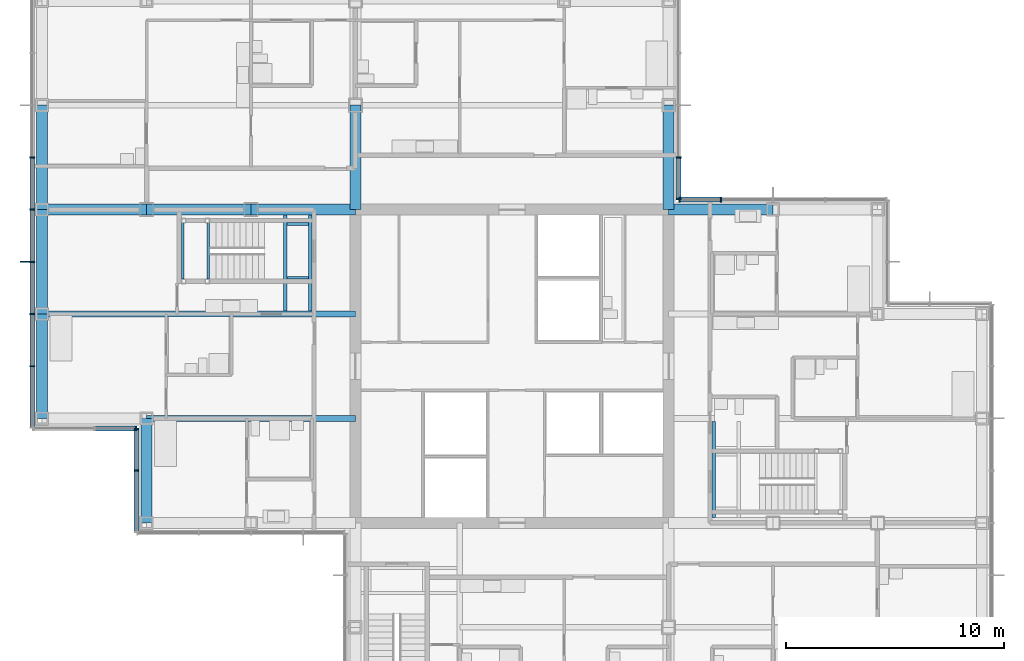
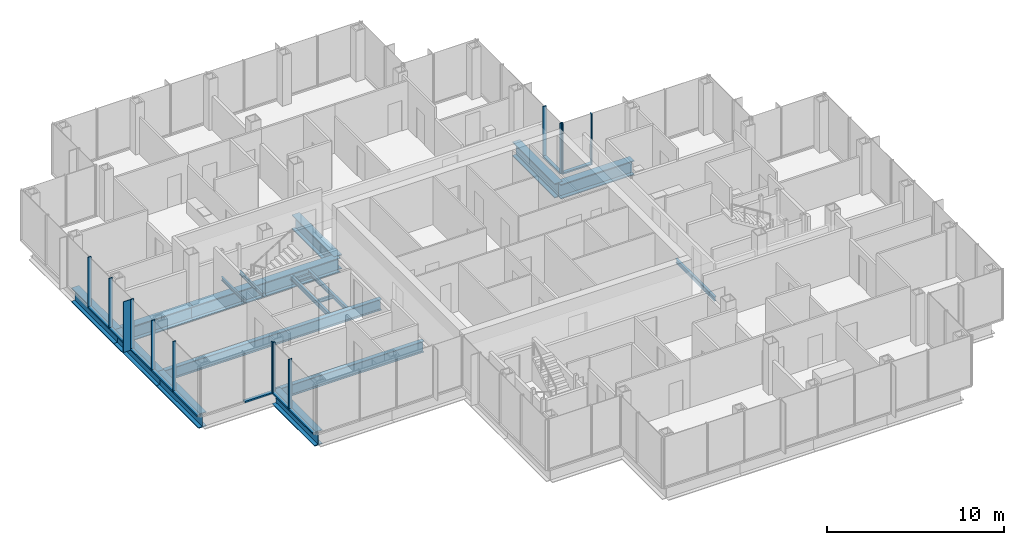
# One storey, part 7 of 20: 23 members, 19 beams, 5 elements without a shape of their own.
"""IFC4 building model written with IfcOpenShell, lengths in metres."""

import ifcopenshell
import ifcopenshell.guid

model = None  # the IFC model being written
_history = None  # IfcOwnerHistory: only IFC2X3 demands one
_inside = {}  # id of a spatial element -> (the spatial element, [elements in it])
_under = {}  # id of a project, library or spatial element -> (it, [spatial elements below it])
_declared = {}  # id of a project -> (the project, [libraries it declares])
_typed = {}  # id of a type object -> (the type object, [elements of that type])
_made_of = {}  # id of a material, layer set ... -> (it, [elements and type objects made of it])


def new_model(schema):
    """Start an empty IFC model of exactly this schema.

    Asked for "IFC4X3", IfcOpenShell would pick the latest addendum, in which some entities
    have other attributes; the version numbers below select the first issue.
    IFC2X3 requires an IfcOwnerHistory on every rooted entity: one is made here for all.
    """
    global model, _history
    if schema == "IFC4X3":
        model = ifcopenshell.file(schema_version=(4, 3, 0, 0))
    else:
        model = ifcopenshell.file(schema=schema)
    _inside.clear()
    _under.clear()
    _declared.clear()
    _typed.clear()
    _made_of.clear()
    _history = None
    if model.schema == "IFC2X3":
        org = make("IfcOrganization", Name="unknown")
        user = make(
            "IfcPersonAndOrganization",
            ThePerson=make("IfcPerson", FamilyName="unknown"),
            TheOrganization=org,
        )
        app = make(
            "IfcApplication",
            ApplicationDeveloper=org,
            Version="unknown",
            ApplicationFullName="unknown",
            ApplicationIdentifier="unknown",
        )
        _history = make(
            "IfcOwnerHistory",
            OwningUser=user,
            OwningApplication=app,
            ChangeAction="ADDED",
            CreationDate=0,
        )
    return model


def make(cls, **values):
    """One entity of the class cls with the attributes given. An attribute that is None is left unset."""
    return model.create_entity(
        cls, **{name: value for name, value in values.items() if value is not None}
    )


def rooted(cls, **values):
    """An entity with a GlobalId (a new one), such as an element, a storey or a relation."""
    return make(cls, GlobalId=ifcopenshell.guid.new(), OwnerHistory=_history, **values)


def si_unit(unit_type, name, prefix=None):
    """IfcSIUnit, for example si_unit("LENGTHUNIT", "METRE", prefix="MILLI")."""
    return make("IfcSIUnit", UnitType=unit_type, Prefix=prefix, Name=name)


def assignment(units):
    """IfcUnitAssignment: the units of a project."""
    return None if units is None else make("IfcUnitAssignment", Units=units)


def point(xyz):
    """IfcCartesianPoint."""
    return None if xyz is None else make("IfcCartesianPoint", Coordinates=xyz)


def direction(xyz):
    """IfcDirection."""
    return None if xyz is None else make("IfcDirection", DirectionRatios=xyz)


def frame(location, z_axis=None, x_axis=None):
    """IfcAxis2Placement3D, a coordinate frame: its origin and axes. An axis left out is left unset."""
    return make(
        "IfcAxis2Placement3D",
        Location=point(location),
        Axis=direction(z_axis),
        RefDirection=direction(x_axis),
    )


def frame_2d(location, x_axis=None):
    """IfcAxis2Placement2D, a coordinate frame in the plane: its origin and x axis."""
    return make(
        "IfcAxis2Placement2D", Location=point(location), RefDirection=direction(x_axis)
    )


def origin():
    """The frame at (0, 0, 0) with its axes left unset."""
    return frame((0.0, 0.0, 0.0))


def origin_2d():
    """The frame at (0, 0) in the plane with its x axis left unset."""
    return frame_2d((0.0, 0.0))


def place(relative_to, where):
    """IfcLocalPlacement: puts the frame where relative to a parent placement (None: the world)."""
    return make(
        "IfcLocalPlacement", PlacementRelTo=relative_to, RelativePlacement=where
    )


def context(
    kind, dimensions, precision=None, world=None, true_north=None, identifier=None
):
    """IfcGeometricRepresentationContext, for example the 3D "Model" context."""
    return make(
        "IfcGeometricRepresentationContext",
        ContextIdentifier=identifier,
        ContextType=kind,
        CoordinateSpaceDimension=dimensions,
        Precision=precision,
        WorldCoordinateSystem=world,
        TrueNorth=true_north,
    )


def subcontext(parent, identifier, kind, view, scale=None):
    """IfcGeometricRepresentationSubContext, for example "Body" below "Model"."""
    return make(
        "IfcGeometricRepresentationSubContext",
        ContextIdentifier=identifier,
        ContextType=kind,
        ParentContext=parent,
        TargetScale=scale,
        TargetView=view,
    )


def project(units=None, contexts=None):
    """IfcProject with its units and contexts."""
    return rooted(
        "IfcProject",
        Name="project",
        RepresentationContexts=contexts,
        UnitsInContext=assignment(units),
    )


def spatial(cls, under=None, at=None, **own):
    """A site, building, storey or space (cls), placed at a placement, below another one or the project."""
    s = rooted(cls, ObjectPlacement=at, **own)
    if under is not None:
        _under.setdefault(under.id(), (under, []))[1].append(s)
    return s


def profile(cls, at=None, kind="AREA", **sizes):
    """A parametric profile (cls). Its sizes go by their IFC names, for example OverallWidth=200.0."""
    return make(cls, ProfileType=kind, Position=at, **sizes)


def rectangle(**sizes):
    """IfcRectangleProfileDef."""
    return profile("IfcRectangleProfileDef", **sizes)


def i_section(**sizes):
    """IfcIShapeProfileDef."""
    return profile("IfcIShapeProfileDef", **sizes)


def extrude(swept, where, along, depth):
    """IfcExtrudedAreaSolid: the profile swept, set in the frame where, extruded along a direction by depth."""
    return make(
        "IfcExtrudedAreaSolid",
        SweptArea=swept,
        Position=where,
        ExtrudedDirection=direction(along),
        Depth=depth,
    )


def shape(context_of_items, identifier, shape_type, items):
    """IfcShapeRepresentation: the items that make up one representation, for example the "Body"."""
    return make(
        "IfcShapeRepresentation",
        ContextOfItems=context_of_items,
        RepresentationIdentifier=identifier,
        RepresentationType=shape_type,
        Items=items,
    )


def material(Name=None, Category=None):
    """IfcMaterial."""
    return make("IfcMaterial", Name=Name, Category=Category)


def material_profile(
    of_material, cross_section, Name=None, Category=None, Priority=None
):
    """IfcMaterialProfile: a cross section and its material."""
    return make(
        "IfcMaterialProfile",
        Name=Name,
        Material=of_material,
        Profile=cross_section,
        Priority=Priority,
        Category=Category,
    )


def profile_set(profiles, Name=None, composite=None):
    """IfcMaterialProfileSet."""
    return make(
        "IfcMaterialProfileSet",
        Name=Name,
        MaterialProfiles=profiles,
        CompositeProfile=composite,
    )


def made_of(thing, what):
    """Note that an element or type object is made of a material, layer set ...; save() writes the relation."""
    if what is not None:
        _made_of.setdefault(what.id(), (what, []))[1].append(thing)
    return thing


def type_object(cls, material=None, **own):
    """A type object (cls), such as IfcWallType, which elements share."""
    return made_of(rooted(cls, **own), material)


def element(
    cls,
    number,
    at=None,
    inside=None,
    cuts=None,
    type_object=None,
    material=None,
    context=None,
    identifier="Body",
    shape_type=None,
    held_by="IfcProductDefinitionShape",
    body=None,
    shapes=None,
    **own,
):
    """One element of the class cls, such as IfcWall. Its Tag is "e" and its number.

    at: its placement. inside: the storey or other place that contains it. cuts: it is an
    opening in that element (IfcRelVoidsElement). A single representation is given by context,
    identifier, shape_type and body (its items); several are given by shapes. held_by: the class
    of the entity that holds the representations. save() writes the other relations.
    """
    e = rooted(cls, Tag="e%d" % number, ObjectPlacement=at, **own)
    if body is not None:
        shapes = [shape(context, identifier, shape_type, body)]
    if shapes is not None:
        e.Representation = make(held_by, Representations=shapes)
    if inside is not None:
        _inside.setdefault(inside.id(), (inside, []))[1].append(e)
    if cuts is not None:
        rooted(
            "IfcRelVoidsElement", RelatingBuildingElement=cuts, RelatedOpeningElement=e
        )
    if type_object is not None:
        _typed.setdefault(type_object.id(), (type_object, []))[1].append(e)
    return made_of(e, material)


def aggregate(whole, parts):
    """IfcRelAggregates: a whole, such as a stair, and the parts it consists of."""
    return rooted("IfcRelAggregates", RelatingObject=whole, RelatedObjects=parts)


def save(model, path):
    """Write the relations noted so far, then the file.

    IfcRelAggregates (storeys below a building ...), IfcRelContainedInSpatialStructure (elements
    in a storey), IfcRelDefinesByType, IfcRelAssociatesMaterial and IfcRelDeclares: one each for
    every whole, place, type object, material and project.
    """
    for whole, parts in _under.values():
        aggregate(whole, parts)
    for where, things in _inside.values():
        rooted(
            "IfcRelContainedInSpatialStructure",
            RelatedElements=things,
            RelatingStructure=where,
        )
    for kind, things in _typed.values():
        rooted("IfcRelDefinesByType", RelatedObjects=things, RelatingType=kind)
    for what, things in _made_of.values():
        rooted("IfcRelAssociatesMaterial", RelatedObjects=things, RelatingMaterial=what)
    for by, libraries in _declared.values():
        rooted("IfcRelDeclares", RelatingContext=by, RelatedDefinitions=libraries)
    model.write(path)


model = new_model("IFC4")

# Units and contexts
model_context = context("Model", 3, precision=1e-05, world=origin(), true_north=direction((0.0, 1.0)))
body_context = subcontext(model_context, "Body", "Model", "MODEL_VIEW")
ifc_project = project(units=[si_unit("LENGTHUNIT", "METRE"), si_unit("AREAUNIT", "SQUARE_METRE"), si_unit("VOLUMEUNIT", "CUBIC_METRE"), si_unit("PLANEANGLEUNIT", "RADIAN"), si_unit("MASSUNIT", "GRAM", prefix="KILO")], contexts=[model_context])

# Site, building, storey
site_placement = place(None, origin())
site = spatial("IfcSite", under=ifc_project, at=site_placement, CompositionType="ELEMENT")
building_placement = place(site_placement, origin())
building = spatial("IfcBuilding", under=site, at=building_placement, Name="Kvirike Care Tower", CompositionType="ELEMENT")
storey_placement = place(building_placement, frame((0.0, 0.0, 126.0)))
storey = spatial("IfcBuildingStorey", under=building, at=storey_placement, Name="L34", CompositionType="ELEMENT", Elevation=126.0)

# Curtain wall, member
ifc_material_1 = material(Name="Anodised aluminium stick system", Category="aluminium")
curtain_wall_type = type_object("IfcCurtainWallType", Name="CW-B STICK CURTAIN WALL", PredefinedType="NOTDEFINED", material=ifc_material_1)
curtain_wall_1_placement = place(storey_placement, origin())
curtain_wall_1 = element("IfcCurtainWall", 1, at=curtain_wall_1_placement, inside=storey, type_object=curtain_wall_type, Name="Curtain wall L34 face 11", PredefinedType="NOTDEFINED")
ifc_material_2 = material(Name="Bronze anodised aluminium fin", Category="aluminium")
ifc_material_profile_1 = material_profile(ifc_material_2, rectangle(XDim=0.050048828125, YDim=0.449951171875, at=origin_2d()), Name="BRONZE FIN 450")
ifc_profile_set_1 = profile_set([ifc_material_profile_1], Name="Bronze anodised aluminium fin")
member_type_1 = type_object("IfcMemberType", Name="BRONZE FIN 450", PredefinedType="USERDEFINED", material=ifc_profile_set_1)
member_1_placement = place(storey_placement, frame((-0.794921875, 40.800048828125, 0.0), z_axis=(0.0, 0.0, 1.0), x_axis=(0.0, -1.0, 0.0)))
member_1 = element("IfcMember", 2, at=member_1_placement, type_object=member_type_1, Name="Bronze fin L34 face 11.6", ObjectType="FIN", PredefinedType="USERDEFINED", context=body_context, shape_type="SweptSolid", body=[
    extrude(rectangle(XDim=0.050048828125, YDim=0.449951171875, at=origin_2d()), origin(), (0.0, 0.0, 1.0), 3.5),
])

# Curtain wall, members
curtain_wall_2_placement = place(storey_placement, origin())
curtain_wall_2 = element("IfcCurtainWall", 3, at=curtain_wall_2_placement, inside=storey, type_object=curtain_wall_type, Name="Curtain wall L34 face 4", PredefinedType="NOTDEFINED")
ifc_material_3 = material(Name="Bronze anodised aluminium mullion", Category="aluminium")
ifc_material_profile_2 = material_profile(ifc_material_3, rectangle(XDim=0.06494140625, YDim=0.219970703125, at=origin_2d()), Name="CW-B MULLION 65x220")
ifc_profile_set_2 = profile_set([ifc_material_profile_2], Name="Bronze anodised aluminium mullion")
member_type_2 = type_object("IfcMemberType", Name="CW-B MULLION 65x220", PredefinedType="MULLION", material=ifc_profile_set_2)
member_2_placement = place(storey_placement, frame((31.199951171875, 43.659912109375, 0.0), z_axis=(0.0, 0.0, 1.0), x_axis=(-1.0, 0.0, 0.0)))
member_2 = element("IfcMember", 4, at=member_2_placement, type_object=member_type_2, Name="CW-B mullion L34 face 4.4", PredefinedType="MULLION", context=body_context, shape_type="SweptSolid", body=[
    extrude(rectangle(XDim=0.06494140625, YDim=0.219970703125, at=origin_2d()), origin(), (0.0, 0.0, 1.0), 3.5),
])
member_3_placement = place(storey_placement, frame((29.29248046875, 43.659912109375, 0.0), z_axis=(0.0, 0.0, 1.0), x_axis=(-1.0, 0.0, 0.0)))
member_3 = element("IfcMember", 5, at=member_3_placement, type_object=member_type_2, Name="CW-B mullion L34 face 4.5", PredefinedType="MULLION", context=body_context, shape_type="SweptSolid", body=[
    extrude(rectangle(XDim=0.06494140625, YDim=0.219970703125, at=origin_2d()), origin(), (0.0, 0.0, 1.0), 3.5),
])

curtain_wall_3_placement = place(storey_placement, origin())
curtain_wall_3 = element("IfcCurtainWall", 6, at=curtain_wall_3_placement, inside=storey, type_object=curtain_wall_type, Name="Curtain wall L34 face 5", PredefinedType="NOTDEFINED")
member_4_placement = place(storey_placement, frame((29.260009765625, 43.6923828125, 0.0), z_axis=(0.0, 0.0, 1.0), x_axis=(0.0, 1.0, 0.0)))
member_4 = element("IfcMember", 7, at=member_4_placement, type_object=member_type_2, Name="CW-B mullion L34 face 5.1", PredefinedType="MULLION", context=body_context, shape_type="SweptSolid", body=[
    extrude(rectangle(XDim=0.06494140625, YDim=0.219970703125, at=origin_2d()), origin(), (0.0, 0.0, 1.0), 3.5),
])
member_5_placement = place(storey_placement, frame((29.260009765625, 45.60009765625, 0.0), z_axis=(0.0, 0.0, 1.0), x_axis=(0.0, 1.0, 0.0)))
member_5 = element("IfcMember", 8, at=member_5_placement, type_object=member_type_2, Name="CW-B mullion L34 face 5.2", PredefinedType="MULLION", context=body_context, shape_type="SweptSolid", body=[
    extrude(rectangle(XDim=0.06494140625, YDim=0.219970703125, at=origin_2d()), origin(), (0.0, 0.0, 1.0), 3.5),
])

# Member
member_6_placement = place(storey_placement, frame((-0.4599609375, 45.60009765625, 0.0), z_axis=(0.0, 0.0, 1.0), x_axis=(0.0, -1.0, 0.0)))
member_6 = element("IfcMember", 9, at=member_6_placement, type_object=member_type_2, Name="CW-B mullion L34 face 11.4", PredefinedType="MULLION", context=body_context, shape_type="SweptSolid", body=[
    extrude(rectangle(XDim=0.06494140625, YDim=0.219970703125, at=origin_2d()), origin(), (0.0, 0.0, 1.0), 3.5),
])

member_7_placement = place(storey_placement, frame((-0.4599609375, 43.199951171875, 0.0), z_axis=(0.0, 0.0, 1.0), x_axis=(0.0, -1.0, 0.0)))
member_7 = element("IfcMember", 10, at=member_7_placement, type_object=member_type_2, Name="CW-B mullion L34 face 11.5", PredefinedType="MULLION", context=body_context, shape_type="SweptSolid", body=[
    extrude(rectangle(XDim=0.06494140625, YDim=0.219970703125, at=origin_2d()), origin(), (0.0, 0.0, 1.0), 3.5),
])

member_8_placement = place(storey_placement, frame((-0.4599609375, 40.800048828125, 0.0), z_axis=(0.0, 0.0, 1.0), x_axis=(0.0, -1.0, 0.0)))
member_8 = element("IfcMember", 11, at=member_8_placement, type_object=member_type_2, Name="CW-B mullion L34 face 11.6", PredefinedType="MULLION", context=body_context, shape_type="SweptSolid", body=[
    extrude(rectangle(XDim=0.06494140625, YDim=0.219970703125, at=origin_2d()), origin(), (0.0, 0.0, 1.0), 3.5),
])

member_9_placement = place(storey_placement, frame((-0.4599609375, 38.39990234375, 0.0), z_axis=(0.0, 0.0, 1.0), x_axis=(0.0, -1.0, 0.0)))
member_9 = element("IfcMember", 12, at=member_9_placement, type_object=member_type_2, Name="CW-B mullion L34 face 11.7", PredefinedType="MULLION", context=body_context, shape_type="SweptSolid", body=[
    extrude(rectangle(XDim=0.06494140625, YDim=0.219970703125, at=origin_2d()), origin(), (0.0, 0.0, 1.0), 3.5),
])

member_10_placement = place(storey_placement, frame((-0.4599609375, 36.0, 0.0), z_axis=(0.0, 0.0, 1.0), x_axis=(0.0, -1.0, 0.0)))
member_10 = element("IfcMember", 13, at=member_10_placement, type_object=member_type_2, Name="CW-B mullion L34 face 11.8", PredefinedType="MULLION", context=body_context, shape_type="SweptSolid", body=[
    extrude(rectangle(XDim=0.06494140625, YDim=0.219970703125, at=origin_2d()), origin(), (0.0, 0.0, 1.0), 3.5),
])

# Curtain wall, member
curtain_wall_4_placement = place(storey_placement, origin())
curtain_wall_4 = element("IfcCurtainWall", 14, at=curtain_wall_4_placement, inside=storey, type_object=curtain_wall_type, Name="Curtain wall L34 face 12", PredefinedType="NOTDEFINED")
member_11_placement = place(storey_placement, frame((4.3076171875, 33.139892578125, 0.0), z_axis=(0.0, 0.0, 1.0), x_axis=(1.0, 0.0, 0.0)))
member_11 = element("IfcMember", 15, at=member_11_placement, type_object=member_type_2, Name="CW-B mullion L34 face 12.3", PredefinedType="MULLION", context=body_context, shape_type="SweptSolid", body=[
    extrude(rectangle(XDim=0.06494140625, YDim=0.219970703125, at=origin_2d()), origin(), (0.0, 0.0, 1.0), 3.5),
])

# Curtain wall, members
curtain_wall_5_placement = place(storey_placement, origin())
curtain_wall_5 = element("IfcCurtainWall", 16, at=curtain_wall_5_placement, inside=storey, type_object=curtain_wall_type, Name="Curtain wall L34 face 13", PredefinedType="NOTDEFINED")
member_12_placement = place(storey_placement, frame((4.340087890625, 33.107421875, 0.0), z_axis=(0.0, 0.0, 1.0), x_axis=(0.0, -1.0, 0.0)))
member_12 = element("IfcMember", 17, at=member_12_placement, type_object=member_type_2, Name="CW-B mullion L34 face 13.1", PredefinedType="MULLION", context=body_context, shape_type="SweptSolid", body=[
    extrude(rectangle(XDim=0.06494140625, YDim=0.219970703125, at=origin_2d()), origin(), (0.0, 0.0, 1.0), 3.5),
])
member_13_placement = place(storey_placement, frame((4.340087890625, 31.199951171875, 0.0), z_axis=(0.0, 0.0, 1.0), x_axis=(0.0, -1.0, 0.0)))
member_13 = element("IfcMember", 18, at=member_13_placement, type_object=member_type_2, Name="CW-B mullion L34 face 13.2", PredefinedType="MULLION", context=body_context, shape_type="SweptSolid", body=[
    extrude(rectangle(XDim=0.06494140625, YDim=0.219970703125, at=origin_2d()), origin(), (0.0, 0.0, 1.0), 3.5),
])

# Member
ifc_material_4 = material(Name="Bronze anodised aluminium transom", Category="aluminium")
ifc_material_profile_3 = material_profile(ifc_material_4, rectangle(XDim=0.219970703125, YDim=0.10009765625, at=origin_2d()), Name="CW-B TRANSOM 220x100")
ifc_profile_set_3 = profile_set([ifc_material_profile_3], Name="Bronze anodised aluminium transom")
member_type_3 = type_object("IfcMemberType", Name="CW-B TRANSOM 220x100", PredefinedType="USERDEFINED", material=ifc_profile_set_3)
member_14_placement = place(storey_placement, frame((31.16748046875, 43.659912109375, 0.050048828125), z_axis=(-1.0, 0.0, 0.0), x_axis=(0.0, -1.0, 0.0)))
member_14 = element("IfcMember", 19, at=member_14_placement, type_object=member_type_3, Name="CW-B sill transom L34 face 4.4", ObjectType="TRANSOM", PredefinedType="USERDEFINED", context=body_context, shape_type="SweptSolid", body=[
    extrude(rectangle(XDim=0.219970703125, YDim=0.10009765625, at=origin_2d()), origin(), (0.0, 0.0, 1.0), 1.842529296875),
])

aggregate(curtain_wall_2, [member_2, member_3, member_14])

member_15_placement = place(storey_placement, frame((29.260009765625, 43.72509765625, 0.050048828125), z_axis=(0.0, 1.0, 0.0), x_axis=(-1.0, 0.0, 0.0)))
member_15 = element("IfcMember", 20, at=member_15_placement, type_object=member_type_3, Name="CW-B sill transom L34 face 5.1", ObjectType="TRANSOM", PredefinedType="USERDEFINED", context=body_context, shape_type="SweptSolid", body=[
    extrude(rectangle(XDim=0.219970703125, YDim=0.10009765625, at=origin_2d()), origin(), (0.0, 0.0, 1.0), 1.84228515625),
])

aggregate(curtain_wall_3, [member_4, member_5, member_15])

member_16_placement = place(storey_placement, frame((-0.4599609375, 45.5673828125, 0.050048828125), z_axis=(0.0, -1.0, 0.0), x_axis=(1.0, 0.0, 0.0)))
member_16 = element("IfcMember", 21, at=member_16_placement, type_object=member_type_3, Name="CW-B sill transom L34 face 11.4", ObjectType="TRANSOM", PredefinedType="USERDEFINED", context=body_context, shape_type="SweptSolid", body=[
    extrude(rectangle(XDim=0.219970703125, YDim=0.10009765625, at=origin_2d()), origin(), (0.0, 0.0, 1.0), 2.3349609375),
])

member_17_placement = place(storey_placement, frame((-0.4599609375, 43.16748046875, 0.050048828125), z_axis=(0.0, -1.0, 0.0), x_axis=(1.0, 0.0, 0.0)))
member_17 = element("IfcMember", 22, at=member_17_placement, type_object=member_type_3, Name="CW-B sill transom L34 face 11.5", ObjectType="TRANSOM", PredefinedType="USERDEFINED", context=body_context, shape_type="SweptSolid", body=[
    extrude(rectangle(XDim=0.219970703125, YDim=0.10009765625, at=origin_2d()), origin(), (0.0, 0.0, 1.0), 2.3349609375),
])

member_18_placement = place(storey_placement, frame((-0.4599609375, 40.767578125, 0.050048828125), z_axis=(0.0, -1.0, 0.0), x_axis=(1.0, 0.0, 0.0)))
member_18 = element("IfcMember", 23, at=member_18_placement, type_object=member_type_3, Name="CW-B sill transom L34 face 11.6", ObjectType="TRANSOM", PredefinedType="USERDEFINED", context=body_context, shape_type="SweptSolid", body=[
    extrude(rectangle(XDim=0.219970703125, YDim=0.10009765625, at=origin_2d()), origin(), (0.0, 0.0, 1.0), 2.3349609375),
])

member_19_placement = place(storey_placement, frame((-0.4599609375, 38.367431640625, 0.050048828125), z_axis=(0.0, -1.0, 0.0), x_axis=(1.0, 0.0, 0.0)))
member_19 = element("IfcMember", 24, at=member_19_placement, type_object=member_type_3, Name="CW-B sill transom L34 face 11.7", ObjectType="TRANSOM", PredefinedType="USERDEFINED", context=body_context, shape_type="SweptSolid", body=[
    extrude(rectangle(XDim=0.219970703125, YDim=0.10009765625, at=origin_2d()), origin(), (0.0, 0.0, 1.0), 2.3349609375),
])

member_20_placement = place(storey_placement, frame((-0.4599609375, 35.967529296875, 0.050048828125), z_axis=(0.0, -1.0, 0.0), x_axis=(1.0, 0.0, 0.0)))
member_20 = element("IfcMember", 25, at=member_20_placement, type_object=member_type_3, Name="CW-B sill transom L34 face 11.8", ObjectType="TRANSOM", PredefinedType="USERDEFINED", context=body_context, shape_type="SweptSolid", body=[
    extrude(rectangle(XDim=0.219970703125, YDim=0.10009765625, at=origin_2d()), origin(), (0.0, 0.0, 1.0), 2.762451171875),
])

aggregate(curtain_wall_1, [member_6, member_7, member_8, member_1, member_9, member_10, member_16, member_17, member_18, member_19, member_20])

member_21_placement = place(storey_placement, frame((2.4326171875, 33.139892578125, 0.050048828125), z_axis=(1.0, 0.0, 0.0), x_axis=(0.0, 1.0, 0.0)))
member_21 = element("IfcMember", 26, at=member_21_placement, type_object=member_type_3, Name="CW-B sill transom L34 face 12.2", ObjectType="TRANSOM", PredefinedType="USERDEFINED", context=body_context, shape_type="SweptSolid", body=[
    extrude(rectangle(XDim=0.219970703125, YDim=0.10009765625, at=origin_2d()), origin(), (0.0, 0.0, 1.0), 1.84228515625),
])

aggregate(curtain_wall_4, [member_11, member_21])

member_22_placement = place(storey_placement, frame((4.340087890625, 33.074951171875, 0.050048828125), z_axis=(0.0, -1.0, 0.0), x_axis=(1.0, 0.0, 0.0)))
member_22 = element("IfcMember", 27, at=member_22_placement, type_object=member_type_3, Name="CW-B sill transom L34 face 13.1", ObjectType="TRANSOM", PredefinedType="USERDEFINED", context=body_context, shape_type="SweptSolid", body=[
    extrude(rectangle(XDim=0.219970703125, YDim=0.10009765625, at=origin_2d()), origin(), (0.0, 0.0, 1.0), 1.842529296875),
])

member_23_placement = place(storey_placement, frame((4.340087890625, 31.16748046875, 0.050048828125), z_axis=(0.0, -1.0, 0.0), x_axis=(1.0, 0.0, 0.0)))
member_23 = element("IfcMember", 28, at=member_23_placement, type_object=member_type_3, Name="CW-B sill transom L34 face 13.2", ObjectType="TRANSOM", PredefinedType="USERDEFINED", context=body_context, shape_type="SweptSolid", body=[
    extrude(rectangle(XDim=0.219970703125, YDim=0.10009765625, at=origin_2d()), origin(), (0.0, 0.0, 1.0), 2.762451171875),
])

aggregate(curtain_wall_5, [member_12, member_13, member_22, member_23])

# Beams
ifc_material_5 = material(Name="Steel S355", Category="steel")
ifc_material_profile_4 = material_profile(ifc_material_5, i_section(OverallWidth=0.26806640625, OverallDepth=0.77001953125, WebThickness=0.015625, FlangeThickness=0.025390625, FilletRadius=0.01708984375, at=origin_2d()), Name="IPE 750x196")
ifc_profile_set_4 = profile_set([ifc_material_profile_4], Name="Steel S355")
beam_type_1 = type_object("IfcBeamType", Name="FLOOR BEAM IPE 750x196", PredefinedType="BEAM", material=ifc_profile_set_4)
beam_1_placement = place(storey_placement, frame((4.800048828125, 33.60009765625, -0.554931640625), z_axis=(1.0, 0.0, 0.0), x_axis=(0.0, 1.0, 0.0)))
element("IfcBeam", 29, at=beam_1_placement, inside=storey, type_object=beam_type_1, Name="Floor Beam H4-H6 L34", PredefinedType="BEAM", context=body_context, shape_type="SweptSolid", body=[
    extrude(i_section(OverallWidth=0.26806640625, OverallDepth=0.77001953125, WebThickness=0.015625, FlangeThickness=0.025390625, FilletRadius=0.01708984375, at=origin_2d()), origin(), (0.0, 0.0, 1.0), 9.599853515625),
])
beam_2_placement = place(storey_placement, frame((0.0, 38.39990234375, -0.554931640625), z_axis=(1.0, 0.0, 0.0), x_axis=(0.0, 1.0, 0.0)))
element("IfcBeam", 30, at=beam_2_placement, inside=storey, type_object=beam_type_1, Name="Floor Beam J3-J6 L34", PredefinedType="BEAM", context=body_context, shape_type="SweptSolid", body=[
    extrude(i_section(OverallWidth=0.26806640625, OverallDepth=0.77001953125, WebThickness=0.015625, FlangeThickness=0.025390625, FilletRadius=0.01708984375, at=origin_2d()), origin(), (0.0, 0.0, 1.0), 14.39990234375),
])
ifc_material_6 = material(Name="Steel S355", Category="steel")
ifc_material_profile_5 = material_profile(ifc_material_6, i_section(OverallWidth=0.5, OverallDepth=1.0, WebThickness=0.030029296875, FlangeThickness=0.06005859375, at=origin_2d()), Name="PG 1000x500x30x60")
ifc_profile_set_5 = profile_set([ifc_material_profile_5], Name="Steel S355")
beam_type_2 = type_object("IfcBeamType", Name="FRAME BEAM PG 1000x500x30x60", PredefinedType="BEAM", material=ifc_profile_set_5)
for number, where, z_axis, x_axis, name in (
    (31, (0.0, 43.199951171875, -0.669921875), (1.0, 0.0, 0.0), (0.0, 1.0, 0.0), "Frame Beam K3-K4 L34"),
    (32, (4.800048828125, 43.199951171875, -0.669921875), (1.0, 0.0, 0.0), (0.0, 1.0, 0.0), "Frame Beam K4-K5 L34"),
):
    element("IfcBeam", number, at=place(storey_placement, frame(where, z_axis=z_axis, x_axis=x_axis)), inside=storey, type_object=beam_type_2, Name=name, PredefinedType="BEAM", context=body_context, shape_type="SweptSolid", body=[
        extrude(i_section(OverallWidth=0.5, OverallDepth=1.0, WebThickness=0.030029296875, FlangeThickness=0.06005859375, at=origin_2d()), origin(), (0.0, 0.0, 1.0), 4.800048828125),
    ])
beam_3_placement = place(storey_placement, frame((9.60009765625, 43.199951171875, -0.669921875), z_axis=(1.0, 0.0, 0.0), x_axis=(0.0, 1.0, 0.0)))
element("IfcBeam", 33, at=beam_3_placement, inside=storey, type_object=beam_type_2, Name="Frame Beam K5-K6 L34", PredefinedType="BEAM", context=body_context, shape_type="SweptSolid", body=[
    extrude(i_section(OverallWidth=0.5, OverallDepth=1.0, WebThickness=0.030029296875, FlangeThickness=0.06005859375, at=origin_2d()), origin(), (0.0, 0.0, 1.0), 4.7998046875),
])
beam_4_placement = place(storey_placement, frame((14.39990234375, 43.199951171875, -0.669921875), z_axis=(0.0, 1.0, 0.0), x_axis=(-1.0, 0.0, 0.0)))
element("IfcBeam", 34, at=beam_4_placement, inside=storey, type_object=beam_type_2, Name="Frame Beam K6-L6 L34", PredefinedType="BEAM", context=body_context, shape_type="SweptSolid", body=[
    extrude(i_section(OverallWidth=0.5, OverallDepth=1.0, WebThickness=0.030029296875, FlangeThickness=0.06005859375, at=origin_2d()), origin(), (0.0, 0.0, 1.0), 4.800048828125),
])
ifc_material_7 = material(Name="Steel S355", Category="steel")
ifc_material_profile_6 = material_profile(ifc_material_7, i_section(OverallWidth=0.5, OverallDepth=1.0, WebThickness=0.030029296875, FlangeThickness=0.06005859375, at=origin_2d()), Name="PG 1000x500x30x60")
ifc_profile_set_6 = profile_set([ifc_material_profile_6], Name="Steel S355")
beam_type_3 = type_object("IfcBeamType", Name="SPANDREL PG 1000x500x30x60", PredefinedType="SPANDREL", material=ifc_profile_set_6)
beam_5_placement = place(storey_placement, frame((28.800048828125, 43.199951171875, -0.669921875), z_axis=(1.0, 0.0, 0.0), x_axis=(0.0, 1.0, 0.0)))
element("IfcBeam", 35, at=beam_5_placement, inside=storey, type_object=beam_type_3, Name="Spandrel K9-K10 L34", PredefinedType="SPANDREL", context=body_context, shape_type="SweptSolid", body=[
    extrude(i_section(OverallWidth=0.5, OverallDepth=1.0, WebThickness=0.030029296875, FlangeThickness=0.06005859375, at=origin_2d()), origin(), (0.0, 0.0, 1.0), 4.800048828125),
])
beam_6_placement = place(storey_placement, frame((0.0, 33.60009765625, -0.669921875), z_axis=(0.0, 1.0, 0.0), x_axis=(-1.0, 0.0, 0.0)))
element("IfcBeam", 36, at=beam_6_placement, inside=storey, type_object=beam_type_3, Name="Spandrel H3-J3 L34", PredefinedType="SPANDREL", context=body_context, shape_type="SweptSolid", body=[
    extrude(i_section(OverallWidth=0.5, OverallDepth=1.0, WebThickness=0.030029296875, FlangeThickness=0.06005859375, at=origin_2d()), origin(), (0.0, 0.0, 1.0), 4.7998046875),
])
for number, where, z_axis, x_axis, name in (
    (37, (0.0, 38.39990234375, -0.669921875), (0.0, 1.0, 0.0), (-1.0, 0.0, 0.0), "Spandrel J3-K3 L34"),
    (38, (0.0, 43.199951171875, -0.669921875), (0.0, 1.0, 0.0), (-1.0, 0.0, 0.0), "Spandrel K3-L3 L34"),
    (39, (4.800048828125, 28.800048828125, -0.669921875), (0.0, 1.0, 0.0), (-1.0, 0.0, 0.0), "Spandrel G4-H4 L34"),
    (40, (28.800048828125, 43.199951171875, -0.669921875), (0.0, 1.0, 0.0), (-1.0, 0.0, 0.0), "Spandrel K9-L9 L34"),
):
    element("IfcBeam", number, at=place(storey_placement, frame(where, z_axis=z_axis, x_axis=x_axis)), inside=storey, type_object=beam_type_3, Name=name, PredefinedType="SPANDREL", context=body_context, shape_type="SweptSolid", body=[
        extrude(i_section(OverallWidth=0.5, OverallDepth=1.0, WebThickness=0.030029296875, FlangeThickness=0.06005859375, at=origin_2d()), origin(), (0.0, 0.0, 1.0), 4.800048828125),
    ])
ifc_material_8 = material(Name="Steel S355", Category="steel")
ifc_material_profile_7 = material_profile(ifc_material_8, i_section(OverallWidth=0.1201171875, OverallDepth=0.239990234375, WebThickness=0.006103515625, FlangeThickness=0.009765625, FilletRadius=0.014892578125, at=origin_2d()), Name="IPE 240")
ifc_profile_set_7 = profile_set([ifc_material_profile_7], Name="Steel S355")
beam_type_4 = type_object("IfcBeamType", Name="STAIR LANDING BEAM IPE 240", PredefinedType="BEAM", material=ifc_profile_set_7)
for number, where, z_axis, x_axis, name in (
    (41, (6.4599609375, 42.60009765625, 1.429931640625), (0.0, -1.0, 0.0), (1.0, 0.0, 0.0), "Stair 1 landing beam back L34"),
    (42, (7.639892578125, 42.60009765625, 1.429931640625), (0.0, -1.0, 0.0), (1.0, 0.0, 0.0), "Stair 1 landing beam front L34"),
):
    element("IfcBeam", number, at=place(storey_placement, frame(where, z_axis=z_axis, x_axis=x_axis)), inside=storey, type_object=beam_type_4, Name=name, PredefinedType="BEAM", context=body_context, shape_type="SweptSolid", body=[
        extrude(i_section(OverallWidth=0.1201171875, OverallDepth=0.239990234375, WebThickness=0.006103515625, FlangeThickness=0.009765625, FilletRadius=0.014892578125, at=origin_2d()), origin(), (0.0, 0.0, 1.0), 2.60009765625),
    ])
for number, where, z_axis, x_axis, name in (
    (43, (11.25, 42.5400390625, -0.320068359375), (1.0, 0.0, 0.0), (0.0, 1.0, 0.0), "Stair 1 landing edge beam 1 L34"),
    (44, (11.25, 40.06005859375, -0.320068359375), (1.0, 0.0, 0.0), (0.0, 1.0, 0.0), "Stair 1 landing edge beam 2 L34"),
):
    element("IfcBeam", number, at=place(storey_placement, frame(where, z_axis=z_axis, x_axis=x_axis)), inside=storey, type_object=beam_type_4, Name=name, PredefinedType="BEAM", context=body_context, shape_type="SweptSolid", body=[
        extrude(i_section(OverallWidth=0.1201171875, OverallDepth=0.239990234375, WebThickness=0.006103515625, FlangeThickness=0.009765625, FilletRadius=0.014892578125, at=origin_2d()), origin(), (0.0, 0.0, 1.0), 1.0),
    ])
ifc_material_9 = material(Name="Steel S355", Category="steel")
ifc_material_profile_8 = material_profile(ifc_material_9, i_section(OverallWidth=0.14990234375, OverallDepth=0.300048828125, WebThickness=0.007080078125, FlangeThickness=0.0107421875, FilletRadius=0.014892578125, at=origin_2d()), Name="IPE 300")
ifc_profile_set_8 = profile_set([ifc_material_profile_8], Name="Steel S355")
beam_type_5 = type_object("IfcBeamType", Name="STAIR TRIMMER IPE 300", PredefinedType="BEAM", material=ifc_profile_set_8)
for number, where, z_axis, x_axis, name in (
    (45, (11.175048828125, 42.949951171875, -0.35009765625), (0.0, -1.0, 0.0), (1.0, 0.0, 0.0), "Stair 1 trimmer 1 L34"),
    (46, (12.324951171875, 42.949951171875, -0.35009765625), (0.0, -1.0, 0.0), (1.0, 0.0, 0.0), "Stair 1 trimmer 2 L34"),
    (47, (30.875, 29.050048828125, -0.35009765625), (0.0, 1.0, 0.0), (-1.0, 0.0, 0.0), "Stair 2 trimmer 2 L34"),
):
    element("IfcBeam", number, at=place(storey_placement, frame(where, z_axis=z_axis, x_axis=x_axis)), inside=storey, type_object=beam_type_5, Name=name, PredefinedType="BEAM", context=body_context, shape_type="SweptSolid", body=[
        extrude(i_section(OverallWidth=0.14990234375, OverallDepth=0.300048828125, WebThickness=0.007080078125, FlangeThickness=0.0107421875, FilletRadius=0.014892578125, at=origin_2d()), origin(), (0.0, 0.0, 1.0), 4.416015625),
    ])

save(model, "model.ifc")
